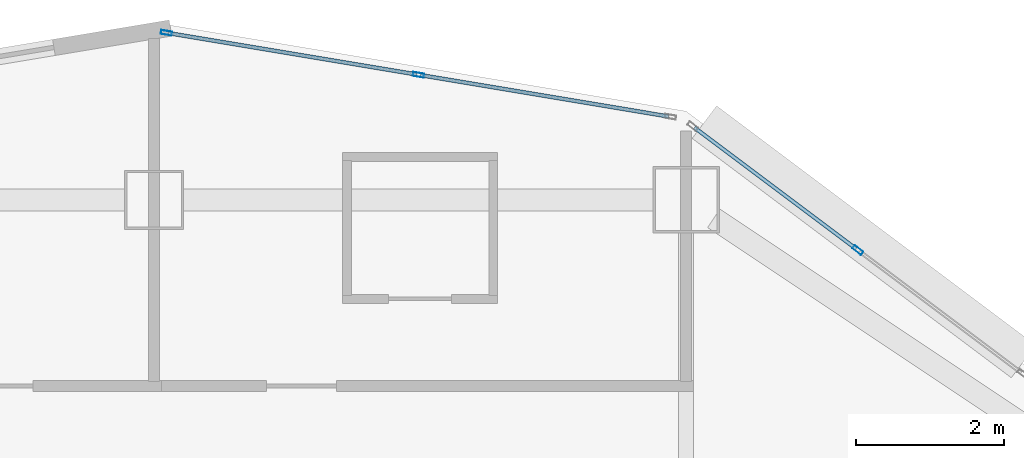
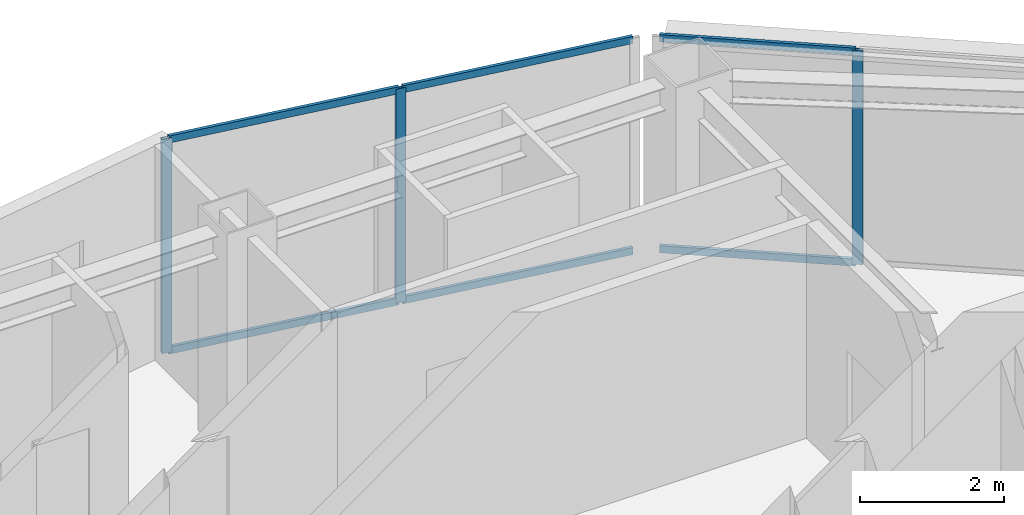
# One storey, part 2 of 11: 9 members, 2 elements without a shape of their own.
"""IFC4 building model written with IfcOpenShell, lengths in metres."""

from ifc_helpers import new_model, si_unit, direction, frame, origin, origin_2d, place, context, subcontext, project, spatial, hollow_rectangle, extrude, material, layer, layer_set, material_profile, profile_set, type_object, element, aggregate, save


model = new_model("IFC4")

# Units and contexts
model_context = context("Model", 3, precision=1e-05, world=origin(), true_north=direction((0.0, 1.0)))
body_context = subcontext(model_context, "Body", "Model", "MODEL_VIEW")
ifc_project = project(units=[si_unit("LENGTHUNIT", "METRE"), si_unit("AREAUNIT", "SQUARE_METRE"), si_unit("VOLUMEUNIT", "CUBIC_METRE"), si_unit("PLANEANGLEUNIT", "RADIAN"), si_unit("MASSUNIT", "GRAM", prefix="KILO")], contexts=[model_context])

# Site, building, storey
site_placement = place(None, origin())
site = spatial("IfcSite", under=ifc_project, at=site_placement, CompositionType="ELEMENT")
building_placement = place(site_placement, origin())
building = spatial("IfcBuilding", under=site, at=building_placement, Name="Haolan Belvedere Tower", CompositionType="ELEMENT")
storey_placement = place(building_placement, frame((0.0, 0.0, 172.800048828125)))
storey = spatial("IfcBuildingStorey", under=building, at=storey_placement, Name="L43", CompositionType="ELEMENT", Elevation=172.800048828125)

# Curtain wall, member
ifc_material_1 = material(Name="Anodised champagne-silver aluminium 6063-T6 and Low-E glass", Category="aluminium")
ifc_layer = layer(ifc_material_1, 0.14990234375, Name="Anodised champagne-silver aluminium 6063-T6 and Low-E glass")
ifc_layer_set = layer_set([ifc_layer], Name="Anodised champagne-silver aluminium 6063-T6 and Low-E glass")
curtain_wall_type = type_object("IfcCurtainWallType", Name="CW-SYS-04", PredefinedType="NOTDEFINED", material=ifc_layer_set)
curtain_wall_1_placement = place(storey_placement, origin())
curtain_wall_1 = element("IfcCurtainWall", 1, at=curtain_wall_1_placement, inside=storey, type_object=curtain_wall_type, Name="L43 CW-SYS-04 ribbon curtain wall 20.1", PredefinedType="NOTDEFINED")
ifc_material_2 = material(Name="Anodised aluminium 6063-T6", Category="aluminium")
ifc_material_profile_1 = material_profile(ifc_material_2, hollow_rectangle(XDim=0.055908203125, YDim=0.14990234375, WallThickness=0.00390625, at=origin_2d()), Name="Anodised aluminium 6063-T6")
ifc_profile_set_1 = profile_set([ifc_material_profile_1], Name="Anodised aluminium 6063-T6")
member_type_1 = type_object("IfcMemberType", Name="CW-SYS-04-MUL", PredefinedType="MULLION", material=ifc_profile_set_1)
member_1_placement = place(storey_placement, frame((47.9228515625, 49.720458984375, 0.0), z_axis=(0.0, 0.0, 1.0), x_axis=(-0.600002837806, -0.799997871638, 0.0)))
member_1 = element("IfcMember", 2, at=member_1_placement, type_object=member_type_1, Name="CW-04 mullion 2", PredefinedType="MULLION", context=body_context, shape_type="SweptSolid", body=[
    extrude(hollow_rectangle(XDim=0.055908203125, YDim=0.14990234375, WallThickness=0.00390625, at=origin_2d()), origin(), (0.0, 0.0, 1.0), 3.619873046875),
])

# Curtain wall, members
curtain_wall_2_placement = place(storey_placement, origin())
curtain_wall_2 = element("IfcCurtainWall", 3, at=curtain_wall_2_placement, inside=storey, type_object=curtain_wall_type, Name="L43 CW-SYS-04 ribbon curtain wall 21.1", PredefinedType="NOTDEFINED")
member_2_placement = place(storey_placement, frame((41.977783203125, 52.09228515625, 0.0), z_axis=(0.0, 0.0, 1.0), x_axis=(-0.164405962825, -0.98639276122, 0.0)))
member_2 = element("IfcMember", 4, at=member_2_placement, type_object=member_type_1, Name="CW-04 mullion 2", PredefinedType="MULLION", context=body_context, shape_type="SweptSolid", body=[
    extrude(hollow_rectangle(XDim=0.055908203125, YDim=0.14990234375, WallThickness=0.00390625, at=origin_2d()), origin(), (0.0, 0.0, 1.0), 3.619873046875),
])
member_3_placement = place(storey_placement, frame((38.565673828125, 52.660888671875, 0.0), z_axis=(0.0, 0.0, 1.0), x_axis=(-0.164405962825, -0.98639276122, 0.0)))
member_3 = element("IfcMember", 5, at=member_3_placement, type_object=member_type_1, Name="CW-04 mullion 3", PredefinedType="MULLION", context=body_context, shape_type="SweptSolid", body=[
    extrude(hollow_rectangle(XDim=0.055908203125, YDim=0.14990234375, WallThickness=0.00390625, at=origin_2d()), origin(), (0.0, 0.0, 1.0), 3.619873046875),
])

# Member
ifc_material_profile_2 = material_profile(ifc_material_2, hollow_rectangle(XDim=0.052001953125, YDim=0.1201171875, WallThickness=0.00390625, at=origin_2d()), Name="Anodised aluminium 6063-T6")
ifc_profile_set_2 = profile_set([ifc_material_profile_2], Name="Anodised aluminium 6063-T6")
member_type_2 = type_object("IfcMemberType", Name="CW-SYS-04-TRN", PredefinedType="USERDEFINED", material=ifc_profile_set_2)
member_4_placement = place(storey_placement, frame((47.900390625, 49.7373046875, 0.02587890625), z_axis=(-0.799978576274, 0.600028563905, 0.0), x_axis=(-0.600028563905, -0.799978576274, 0.0)))
member_4 = element("IfcMember", 6, at=member_4_placement, type_object=member_type_2, Name="CW-04 transom 2.1", ObjectType="TRANSOM", PredefinedType="USERDEFINED", context=body_context, shape_type="SweptSolid", body=[
    extrude(hollow_rectangle(XDim=0.052001953125, YDim=0.1201171875, WallThickness=0.00390625, at=origin_2d()), origin(), (0.0, 0.0, 1.0), 2.735107421875),
])

member_5_placement = place(storey_placement, frame((47.900390625, 49.7373046875, 3.593994140625), z_axis=(-0.799978576274, 0.600028563905, 0.0), x_axis=(-0.600028563905, -0.799978576274, 0.0)))
member_5 = element("IfcMember", 7, at=member_5_placement, type_object=member_type_2, Name="CW-04 transom 2.2", ObjectType="TRANSOM", PredefinedType="USERDEFINED", context=body_context, shape_type="SweptSolid", body=[
    extrude(hollow_rectangle(XDim=0.052001953125, YDim=0.1201171875, WallThickness=0.00390625, at=origin_2d()), origin(), (0.0, 0.0, 1.0), 2.735107421875),
])

aggregate(curtain_wall_1, [member_1, member_4, member_5])

member_6_placement = place(storey_placement, frame((45.362060546875, 51.528076171875, 0.02587890625), z_axis=(-0.986388106252, 0.164433888976, 0.0), x_axis=(-0.164433888976, -0.986388106252, 0.0)))
member_6 = element("IfcMember", 8, at=member_6_placement, type_object=member_type_2, Name="CW-04 transom 1.1", ObjectType="TRANSOM", PredefinedType="USERDEFINED", context=body_context, shape_type="SweptSolid", body=[
    extrude(hollow_rectangle(XDim=0.052001953125, YDim=0.1201171875, WallThickness=0.00390625, at=origin_2d()), origin(), (0.0, 0.0, 1.0), 3.403076171875),
])

member_7_placement = place(storey_placement, frame((45.362060546875, 51.528076171875, 3.593994140625), z_axis=(-0.986388106252, 0.164433888976, 0.0), x_axis=(-0.164433888976, -0.986388106252, 0.0)))
member_7 = element("IfcMember", 9, at=member_7_placement, type_object=member_type_2, Name="CW-04 transom 1.2", ObjectType="TRANSOM", PredefinedType="USERDEFINED", context=body_context, shape_type="SweptSolid", body=[
    extrude(hollow_rectangle(XDim=0.052001953125, YDim=0.1201171875, WallThickness=0.00390625, at=origin_2d()), origin(), (0.0, 0.0, 1.0), 3.403076171875),
])

member_8_placement = place(storey_placement, frame((41.9501953125, 52.096923828125, 0.02587890625), z_axis=(-0.986401678227, 0.164352454169, 0.0), x_axis=(-0.164352454169, -0.986401678227, 0.0)))
member_8 = element("IfcMember", 10, at=member_8_placement, type_object=member_type_2, Name="CW-04 transom 2.1", ObjectType="TRANSOM", PredefinedType="USERDEFINED", context=body_context, shape_type="SweptSolid", body=[
    extrude(hollow_rectangle(XDim=0.052001953125, YDim=0.1201171875, WallThickness=0.00390625, at=origin_2d()), origin(), (0.0, 0.0, 1.0), 3.4033203125),
])

member_9_placement = place(storey_placement, frame((41.9501953125, 52.096923828125, 3.593994140625), z_axis=(-0.986401678227, 0.164352454169, 0.0), x_axis=(-0.164352454169, -0.986401678227, 0.0)))
member_9 = element("IfcMember", 11, at=member_9_placement, type_object=member_type_2, Name="CW-04 transom 2.2", ObjectType="TRANSOM", PredefinedType="USERDEFINED", context=body_context, shape_type="SweptSolid", body=[
    extrude(hollow_rectangle(XDim=0.052001953125, YDim=0.1201171875, WallThickness=0.00390625, at=origin_2d()), origin(), (0.0, 0.0, 1.0), 3.4033203125),
])

aggregate(curtain_wall_2, [member_2, member_3, member_6, member_7, member_8, member_9])

save(model, "model.ifc")
